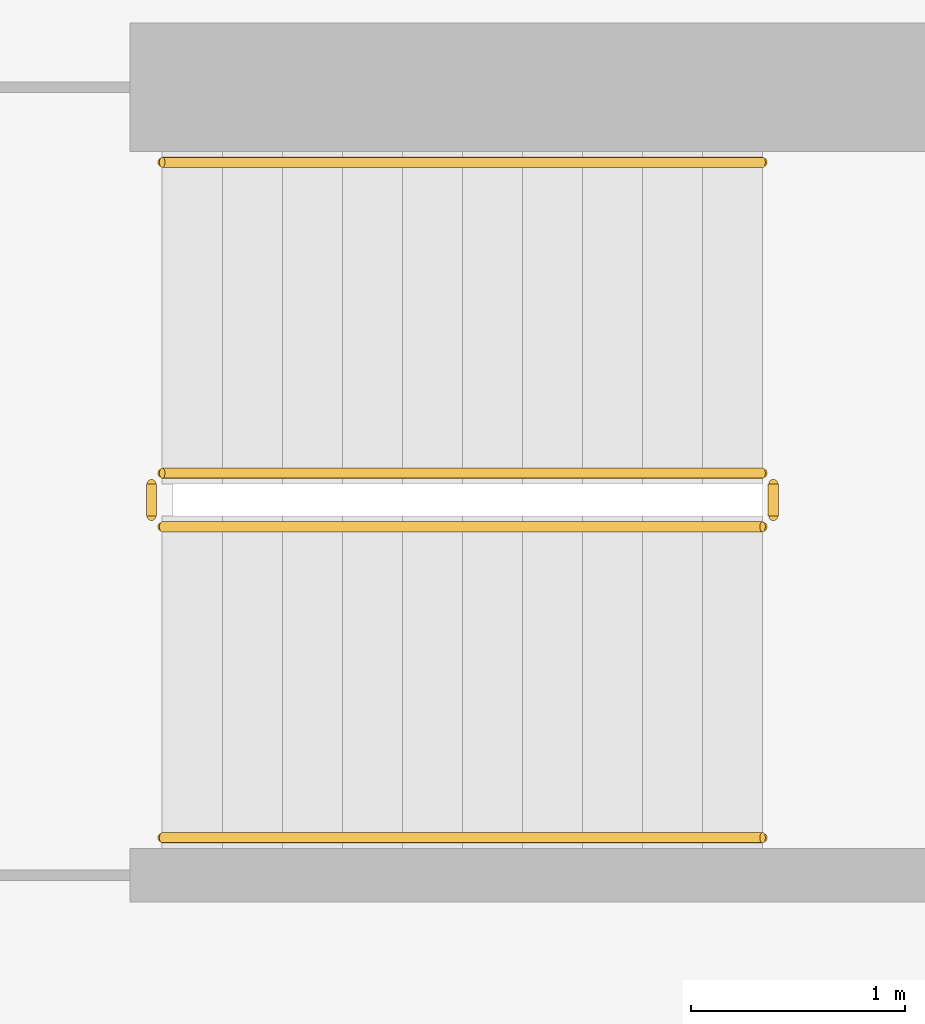
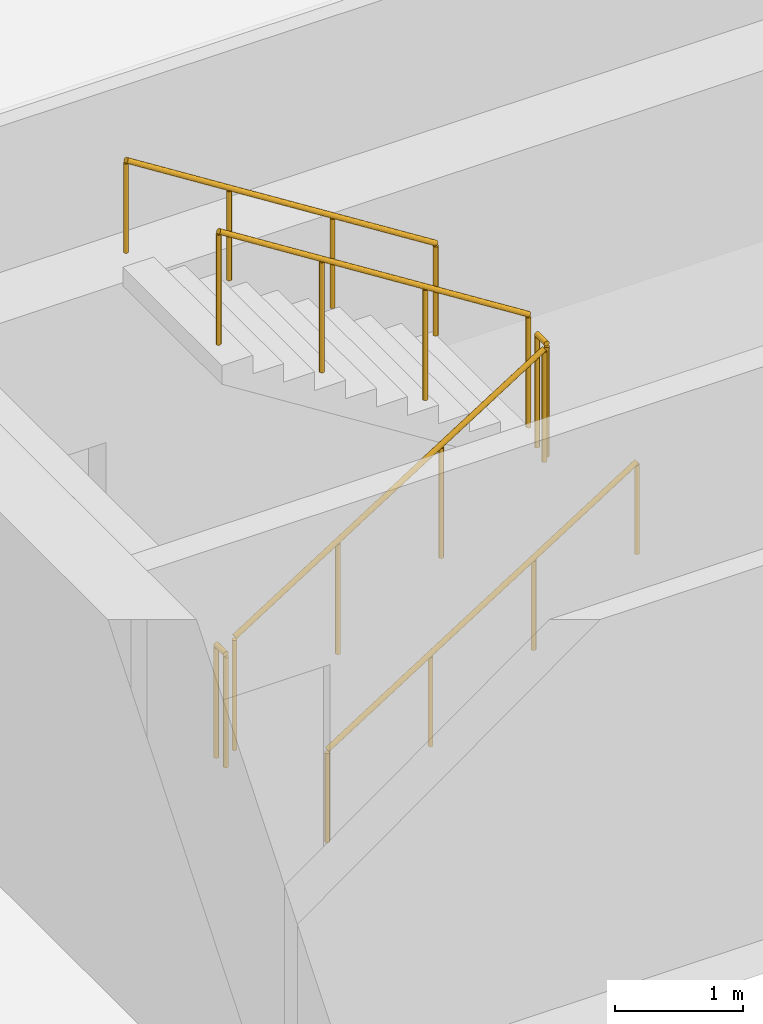
# One storey, part 9 of 11: 6 railings.
"""IFC4 building model written with IfcOpenShell, lengths in metres."""

from ifc_helpers import new_model, si_unit, direction, frame, origin, origin_2d, place, context, subcontext, project, spatial, circle, extrude, material, type_object, element, save


model = new_model("IFC4")

# Units and contexts
model_context = context("Model", 3, precision=1e-05, world=origin(), true_north=direction((0.0, 1.0)))
body_context = subcontext(model_context, "Body", "Model", "MODEL_VIEW")
ifc_project = project(units=[si_unit("LENGTHUNIT", "METRE"), si_unit("AREAUNIT", "SQUARE_METRE"), si_unit("VOLUMEUNIT", "CUBIC_METRE"), si_unit("PLANEANGLEUNIT", "RADIAN"), si_unit("MASSUNIT", "GRAM", prefix="KILO")], contexts=[model_context])

# Site, building, storey
site_placement = place(None, origin())
site = spatial("IfcSite", under=ifc_project, at=site_placement, CompositionType="ELEMENT")
building_placement = place(site_placement, origin())
building = spatial("IfcBuilding", under=site, at=building_placement, Name="Dhurran Vertical Campus", CompositionType="ELEMENT")
storey_placement = place(building_placement, frame((0.0, 0.0, 274.199951171875)))
storey = spatial("IfcBuildingStorey", under=building, at=storey_placement, Name="L68", CompositionType="ELEMENT", Elevation=274.199951171875)

# Railings
ifc_material_1 = material(Name="Stainless steel balustrade", Category="steel")
railing_type_1 = type_object("IfcRailingType", Name="co-RL-GUARD-1100", PredefinedType="GUARDRAIL", material=ifc_material_1)
railing_1_placement = place(storey_placement, frame((-11.10009765625, 8.89990234375, 0.17724609375)))
element("IfcRailing", 1, at=railing_1_placement, inside=storey, type_object=railing_type_1, Name="L68 ST1 stair guard 1", PredefinedType="GUARDRAIL", context=body_context, shape_type="SweptSolid", body=[
    extrude(circle(Radius=0.02392578125, at=origin_2d()), frame((0.0, 0.0, 1.076171875), z_axis=(0.844908973607, 0.0, 0.534910110503), x_axis=(0.0, 1.0, 0.0)), (0.0, 0.0, 1.0), 3.31396484375),
    extrude(circle(Radius=0.02099609375, at=origin_2d()), origin(), (0.0, 0.0, 1.0), 1.052001953125),
    extrude(circle(Radius=0.02099609375, at=origin_2d()), frame((0.933349609375, 0.0, 0.5908203125)), (0.0, 0.0, 1.0), 1.052001953125),
    extrude(circle(Radius=0.02099609375, at=origin_2d()), frame((1.86669921875, 0.0, 1.181884765625)), (0.0, 0.0, 1.0), 1.052001953125),
    extrude(circle(Radius=0.02099609375, at=origin_2d()), frame((2.800048828125, 0.0, 1.772705078125)), (0.0, 0.0, 1.0), 1.052001953125),
])
railing_2_placement = place(storey_placement, frame((-8.25, 8.949951171875, 1.949951171875)))
element("IfcRailing", 2, at=railing_2_placement, inside=storey, type_object=railing_type_1, Name="L68 ST1 stair guard 2", PredefinedType="GUARDRAIL", context=body_context, shape_type="SweptSolid", body=[
    extrude(circle(Radius=0.02392578125, at=origin_2d()), frame((0.0, 0.0, 1.076171875), z_axis=(0.0, 1.0, 0.0), x_axis=(-1.0, 0.0, 0.0)), (0.0, 0.0, 1.0), 0.150146484375),
    extrude(circle(Radius=0.02099609375, at=origin_2d()), origin(), (0.0, 0.0, 1.0), 1.052001953125),
    extrude(circle(Radius=0.02099609375, at=origin_2d()), frame((0.0, 0.150146484375, 0.0)), (0.0, 0.0, 1.0), 1.052001953125),
])
railing_3_placement = place(storey_placement, frame((-8.300048828125, 9.14990234375, 2.12744140625)))
element("IfcRailing", 3, at=railing_3_placement, inside=storey, type_object=railing_type_1, Name="L68 ST1 stair guard 3", PredefinedType="GUARDRAIL", context=body_context, shape_type="SweptSolid", body=[
    extrude(circle(Radius=0.02392578125, at=origin_2d()), frame((0.0, 0.0, 1.076171875), z_axis=(-0.844908973607, 0.0, 0.534910110503), x_axis=(0.0, -1.0, 0.0)), (0.0, 0.0, 1.0), 3.31396484375),
    extrude(circle(Radius=0.02099609375, at=origin_2d()), origin(), (0.0, 0.0, 1.0), 1.052001953125),
    extrude(circle(Radius=0.02099609375, at=origin_2d()), frame((-0.933349609375, 0.0, 0.5908203125)), (0.0, 0.0, 1.0), 1.052001953125),
    extrude(circle(Radius=0.02099609375, at=origin_2d()), frame((-1.86669921875, 0.0, 1.181884765625)), (0.0, 0.0, 1.0), 1.052001953125),
    extrude(circle(Radius=0.02099609375, at=origin_2d()), frame((-2.800048828125, 0.0, 1.772705078125)), (0.0, 0.0, 1.0), 1.052001953125),
])
railing_4_placement = place(storey_placement, frame((-11.14990234375, 8.949951171875, 0.0)))
element("IfcRailing", 4, at=railing_4_placement, inside=storey, type_object=railing_type_1, Name="L68 ST1 stair guard 4", PredefinedType="GUARDRAIL", context=body_context, shape_type="SweptSolid", body=[
    extrude(circle(Radius=0.02392578125, at=origin_2d()), frame((0.0, 0.0, 1.076171875), z_axis=(0.0, 1.0, 0.0), x_axis=(-1.0, 0.0, 0.0)), (0.0, 0.0, 1.0), 0.150146484375),
    extrude(circle(Radius=0.02099609375, at=origin_2d()), origin(), (0.0, 0.0, 1.0), 1.052001953125),
    extrude(circle(Radius=0.02099609375, at=origin_2d()), frame((0.0, 0.150146484375, 0.0)), (0.0, 0.0, 1.0), 1.052001953125),
])
ifc_material_2 = material(Name="Stainless steel handrail", Category="steel")
railing_type_2 = type_object("IfcRailingType", Name="co-RL-HANDRAIL-900", PredefinedType="HANDRAIL", material=ifc_material_2)
railing_5_placement = place(storey_placement, frame((-11.10009765625, 7.449951171875, 0.17724609375)))
element("IfcRailing", 5, at=railing_5_placement, inside=storey, type_object=railing_type_2, Name="L68 ST1 stair handrail 1", PredefinedType="HANDRAIL", context=body_context, shape_type="SweptSolid", body=[
    extrude(circle(Radius=0.02392578125, at=origin_2d()), frame((0.0, 0.0, 0.8759765625), z_axis=(0.844908973607, 0.0, 0.534910110503), x_axis=(0.0, 1.0, 0.0)), (0.0, 0.0, 1.0), 3.31396484375),
    extrude(circle(Radius=0.02099609375, at=origin_2d()), origin(), (0.0, 0.0, 1.0), 0.851806640625),
    extrude(circle(Radius=0.02099609375, at=origin_2d()), frame((0.933349609375, 0.0, 0.5908203125)), (0.0, 0.0, 1.0), 0.851806640625),
    extrude(circle(Radius=0.02099609375, at=origin_2d()), frame((1.86669921875, 0.0, 1.181884765625)), (0.0, 0.0, 1.0), 0.851806640625),
    extrude(circle(Radius=0.02099609375, at=origin_2d()), frame((2.800048828125, 0.0, 1.772705078125)), (0.0, 0.0, 1.0), 0.851806640625),
])
railing_6_placement = place(storey_placement, frame((-8.300048828125, 10.60009765625, 2.12744140625)))
element("IfcRailing", 6, at=railing_6_placement, inside=storey, type_object=railing_type_2, Name="L68 ST1 stair handrail 2", PredefinedType="HANDRAIL", context=body_context, shape_type="SweptSolid", body=[
    extrude(circle(Radius=0.02392578125, at=origin_2d()), frame((0.0, 0.0, 0.8759765625), z_axis=(-0.844908973607, 0.0, 0.534910110503), x_axis=(0.0, -1.0, 0.0)), (0.0, 0.0, 1.0), 3.31396484375),
    extrude(circle(Radius=0.02099609375, at=origin_2d()), origin(), (0.0, 0.0, 1.0), 0.851806640625),
    extrude(circle(Radius=0.02099609375, at=origin_2d()), frame((-0.933349609375, 0.0, 0.5908203125)), (0.0, 0.0, 1.0), 0.851806640625),
    extrude(circle(Radius=0.02099609375, at=origin_2d()), frame((-1.86669921875, 0.0, 1.181884765625)), (0.0, 0.0, 1.0), 0.851806640625),
    extrude(circle(Radius=0.02099609375, at=origin_2d()), frame((-2.800048828125, 0.0, 1.772705078125)), (0.0, 0.0, 1.0), 0.851806640625),
])

save(model, "model.ifc")
